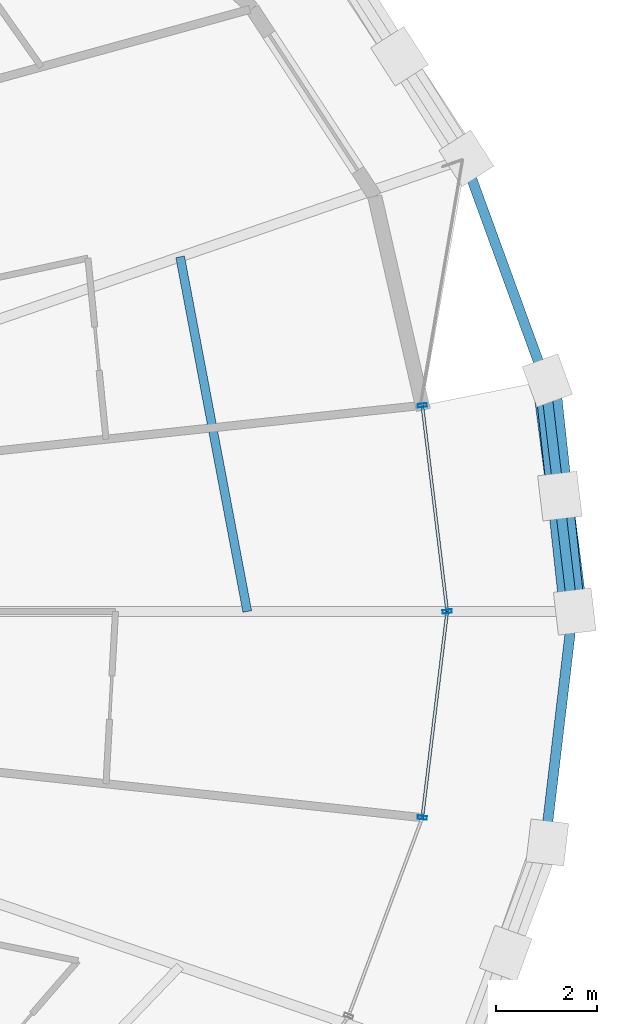
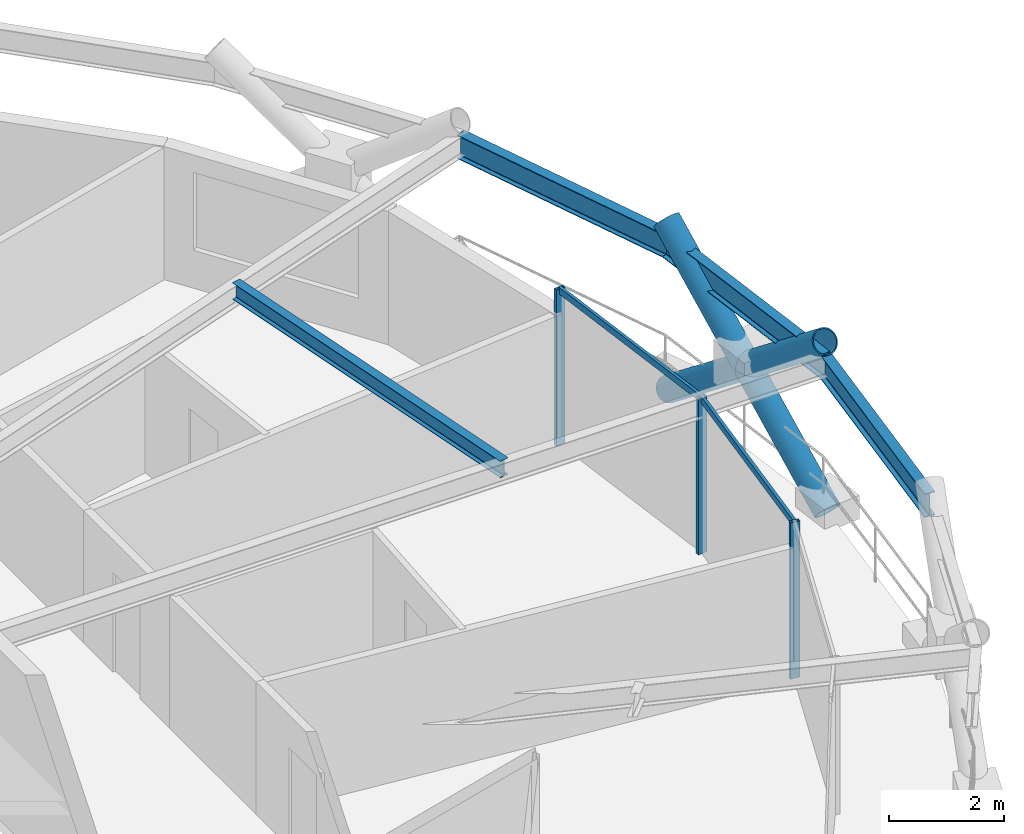
# One storey, part 11 of 19: 8 members, 4 beams, 1 element without a shape of its own.
"""IFC4 building model written with IfcOpenShell, lengths in metres."""

import ifcopenshell
import ifcopenshell.guid

model = None  # the IFC model being written
_history = None  # IfcOwnerHistory: only IFC2X3 demands one
_inside = {}  # id of a spatial element -> (the spatial element, [elements in it])
_under = {}  # id of a project, library or spatial element -> (it, [spatial elements below it])
_declared = {}  # id of a project -> (the project, [libraries it declares])
_typed = {}  # id of a type object -> (the type object, [elements of that type])
_made_of = {}  # id of a material, layer set ... -> (it, [elements and type objects made of it])


def new_model(schema):
    """Start an empty IFC model of exactly this schema.

    Asked for "IFC4X3", IfcOpenShell would pick the latest addendum, in which some entities
    have other attributes; the version numbers below select the first issue.
    IFC2X3 requires an IfcOwnerHistory on every rooted entity: one is made here for all.
    """
    global model, _history
    if schema == "IFC4X3":
        model = ifcopenshell.file(schema_version=(4, 3, 0, 0))
    else:
        model = ifcopenshell.file(schema=schema)
    _inside.clear()
    _under.clear()
    _declared.clear()
    _typed.clear()
    _made_of.clear()
    _history = None
    if model.schema == "IFC2X3":
        org = make("IfcOrganization", Name="unknown")
        user = make(
            "IfcPersonAndOrganization",
            ThePerson=make("IfcPerson", FamilyName="unknown"),
            TheOrganization=org,
        )
        app = make(
            "IfcApplication",
            ApplicationDeveloper=org,
            Version="unknown",
            ApplicationFullName="unknown",
            ApplicationIdentifier="unknown",
        )
        _history = make(
            "IfcOwnerHistory",
            OwningUser=user,
            OwningApplication=app,
            ChangeAction="ADDED",
            CreationDate=0,
        )
    return model


def make(cls, **values):
    """One entity of the class cls with the attributes given. An attribute that is None is left unset."""
    return model.create_entity(
        cls, **{name: value for name, value in values.items() if value is not None}
    )


def rooted(cls, **values):
    """An entity with a GlobalId (a new one), such as an element, a storey or a relation."""
    return make(cls, GlobalId=ifcopenshell.guid.new(), OwnerHistory=_history, **values)


def si_unit(unit_type, name, prefix=None):
    """IfcSIUnit, for example si_unit("LENGTHUNIT", "METRE", prefix="MILLI")."""
    return make("IfcSIUnit", UnitType=unit_type, Prefix=prefix, Name=name)


def assignment(units):
    """IfcUnitAssignment: the units of a project."""
    return None if units is None else make("IfcUnitAssignment", Units=units)


def point(xyz):
    """IfcCartesianPoint."""
    return None if xyz is None else make("IfcCartesianPoint", Coordinates=xyz)


def direction(xyz):
    """IfcDirection."""
    return None if xyz is None else make("IfcDirection", DirectionRatios=xyz)


def frame(location, z_axis=None, x_axis=None):
    """IfcAxis2Placement3D, a coordinate frame: its origin and axes. An axis left out is left unset."""
    return make(
        "IfcAxis2Placement3D",
        Location=point(location),
        Axis=direction(z_axis),
        RefDirection=direction(x_axis),
    )


def frame_2d(location, x_axis=None):
    """IfcAxis2Placement2D, a coordinate frame in the plane: its origin and x axis."""
    return make(
        "IfcAxis2Placement2D", Location=point(location), RefDirection=direction(x_axis)
    )


def origin():
    """The frame at (0, 0, 0) with its axes left unset."""
    return frame((0.0, 0.0, 0.0))


def origin_2d():
    """The frame at (0, 0) in the plane with its x axis left unset."""
    return frame_2d((0.0, 0.0))


def place(relative_to, where):
    """IfcLocalPlacement: puts the frame where relative to a parent placement (None: the world)."""
    return make(
        "IfcLocalPlacement", PlacementRelTo=relative_to, RelativePlacement=where
    )


def context(
    kind, dimensions, precision=None, world=None, true_north=None, identifier=None
):
    """IfcGeometricRepresentationContext, for example the 3D "Model" context."""
    return make(
        "IfcGeometricRepresentationContext",
        ContextIdentifier=identifier,
        ContextType=kind,
        CoordinateSpaceDimension=dimensions,
        Precision=precision,
        WorldCoordinateSystem=world,
        TrueNorth=true_north,
    )


def subcontext(parent, identifier, kind, view, scale=None):
    """IfcGeometricRepresentationSubContext, for example "Body" below "Model"."""
    return make(
        "IfcGeometricRepresentationSubContext",
        ContextIdentifier=identifier,
        ContextType=kind,
        ParentContext=parent,
        TargetScale=scale,
        TargetView=view,
    )


def project(units=None, contexts=None):
    """IfcProject with its units and contexts."""
    return rooted(
        "IfcProject",
        Name="project",
        RepresentationContexts=contexts,
        UnitsInContext=assignment(units),
    )


def spatial(cls, under=None, at=None, **own):
    """A site, building, storey or space (cls), placed at a placement, below another one or the project."""
    s = rooted(cls, ObjectPlacement=at, **own)
    if under is not None:
        _under.setdefault(under.id(), (under, []))[1].append(s)
    return s


def profile(cls, at=None, kind="AREA", **sizes):
    """A parametric profile (cls). Its sizes go by their IFC names, for example OverallWidth=200.0."""
    return make(cls, ProfileType=kind, Position=at, **sizes)


def hollow_rectangle(**sizes):
    """IfcRectangleHollowProfileDef."""
    return profile("IfcRectangleHollowProfileDef", **sizes)


def hollow_circle(**sizes):
    """IfcCircleHollowProfileDef."""
    return profile("IfcCircleHollowProfileDef", **sizes)


def i_section(**sizes):
    """IfcIShapeProfileDef."""
    return profile("IfcIShapeProfileDef", **sizes)


def extrude(swept, where, along, depth):
    """IfcExtrudedAreaSolid: the profile swept, set in the frame where, extruded along a direction by depth."""
    return make(
        "IfcExtrudedAreaSolid",
        SweptArea=swept,
        Position=where,
        ExtrudedDirection=direction(along),
        Depth=depth,
    )


def shape(context_of_items, identifier, shape_type, items):
    """IfcShapeRepresentation: the items that make up one representation, for example the "Body"."""
    return make(
        "IfcShapeRepresentation",
        ContextOfItems=context_of_items,
        RepresentationIdentifier=identifier,
        RepresentationType=shape_type,
        Items=items,
    )


def material(Name=None, Category=None):
    """IfcMaterial."""
    return make("IfcMaterial", Name=Name, Category=Category)


def layer(
    of_material, thickness, ventilated=None, Name=None, Category=None, Priority=None
):
    """IfcMaterialLayer: one layer of a wall or slab, of a material (None: an air gap)."""
    return make(
        "IfcMaterialLayer",
        Material=of_material,
        LayerThickness=thickness,
        IsVentilated=ventilated,
        Name=Name,
        Category=Category,
        Priority=Priority,
    )


def layer_set(layers, Name=None):
    """IfcMaterialLayerSet."""
    return make("IfcMaterialLayerSet", MaterialLayers=layers, LayerSetName=Name)


def material_profile(
    of_material, cross_section, Name=None, Category=None, Priority=None
):
    """IfcMaterialProfile: a cross section and its material."""
    return make(
        "IfcMaterialProfile",
        Name=Name,
        Material=of_material,
        Profile=cross_section,
        Priority=Priority,
        Category=Category,
    )


def profile_set(profiles, Name=None, composite=None):
    """IfcMaterialProfileSet."""
    return make(
        "IfcMaterialProfileSet",
        Name=Name,
        MaterialProfiles=profiles,
        CompositeProfile=composite,
    )


def made_of(thing, what):
    """Note that an element or type object is made of a material, layer set ...; save() writes the relation."""
    if what is not None:
        _made_of.setdefault(what.id(), (what, []))[1].append(thing)
    return thing


def type_object(cls, material=None, **own):
    """A type object (cls), such as IfcWallType, which elements share."""
    return made_of(rooted(cls, **own), material)


def element(
    cls,
    number,
    at=None,
    inside=None,
    cuts=None,
    type_object=None,
    material=None,
    context=None,
    identifier="Body",
    shape_type=None,
    held_by="IfcProductDefinitionShape",
    body=None,
    shapes=None,
    **own,
):
    """One element of the class cls, such as IfcWall. Its Tag is "e" and its number.

    at: its placement. inside: the storey or other place that contains it. cuts: it is an
    opening in that element (IfcRelVoidsElement). A single representation is given by context,
    identifier, shape_type and body (its items); several are given by shapes. held_by: the class
    of the entity that holds the representations. save() writes the other relations.
    """
    e = rooted(cls, Tag="e%d" % number, ObjectPlacement=at, **own)
    if body is not None:
        shapes = [shape(context, identifier, shape_type, body)]
    if shapes is not None:
        e.Representation = make(held_by, Representations=shapes)
    if inside is not None:
        _inside.setdefault(inside.id(), (inside, []))[1].append(e)
    if cuts is not None:
        rooted(
            "IfcRelVoidsElement", RelatingBuildingElement=cuts, RelatedOpeningElement=e
        )
    if type_object is not None:
        _typed.setdefault(type_object.id(), (type_object, []))[1].append(e)
    return made_of(e, material)


def aggregate(whole, parts):
    """IfcRelAggregates: a whole, such as a stair, and the parts it consists of."""
    return rooted("IfcRelAggregates", RelatingObject=whole, RelatedObjects=parts)


def save(model, path):
    """Write the relations noted so far, then the file.

    IfcRelAggregates (storeys below a building ...), IfcRelContainedInSpatialStructure (elements
    in a storey), IfcRelDefinesByType, IfcRelAssociatesMaterial and IfcRelDeclares: one each for
    every whole, place, type object, material and project.
    """
    for whole, parts in _under.values():
        aggregate(whole, parts)
    for where, things in _inside.values():
        rooted(
            "IfcRelContainedInSpatialStructure",
            RelatedElements=things,
            RelatingStructure=where,
        )
    for kind, things in _typed.values():
        rooted("IfcRelDefinesByType", RelatedObjects=things, RelatingType=kind)
    for what, things in _made_of.values():
        rooted("IfcRelAssociatesMaterial", RelatedObjects=things, RelatingMaterial=what)
    for by, libraries in _declared.values():
        rooted("IfcRelDeclares", RelatingContext=by, RelatedDefinitions=libraries)
    model.write(path)


model = new_model("IFC4")

# Units and contexts
model_context = context("Model", 3, precision=1e-05, world=origin(), true_north=direction((0.0, 1.0)))
body_context = subcontext(model_context, "Body", "Model", "MODEL_VIEW")
ifc_project = project(units=[si_unit("LENGTHUNIT", "METRE"), si_unit("AREAUNIT", "SQUARE_METRE"), si_unit("VOLUMEUNIT", "CUBIC_METRE"), si_unit("PLANEANGLEUNIT", "RADIAN"), si_unit("MASSUNIT", "GRAM", prefix="KILO")], contexts=[model_context])

# Site, building, storey
site_placement = place(None, origin())
site = spatial("IfcSite", under=ifc_project, at=site_placement, CompositionType="ELEMENT")
building_placement = place(site_placement, origin())
building = spatial("IfcBuilding", under=site, at=building_placement, Name="Veldorina Hangang Commons", CompositionType="ELEMENT")
storey_placement = place(building_placement, frame((0.0, 0.0, 164.0)))
storey = spatial("IfcBuildingStorey", under=building, at=storey_placement, Name="L42", CompositionType="ELEMENT", Elevation=164.0)

# Beams
ifc_material_1 = material(Name="Steel SM355-TMC", Category="steel")
ifc_material_profile_1 = material_profile(ifc_material_1, i_section(OverallWidth=0.175048828125, OverallDepth=0.35009765625, WebThickness=0.007080078125, FlangeThickness=0.010986328125, FilletRadius=0.012939453125, at=origin_2d()), Name="H-350x175x7x11")
ifc_profile_set_1 = profile_set([ifc_material_profile_1], Name="Steel SM355-TMC")
beam_type_1 = type_object("IfcBeamType", Name="BM-JST350", PredefinedType="JOIST", material=ifc_profile_set_1)
beam_1_placement = place(storey_placement, frame((53.67138671875, 24.0, 3.175048828125), z_axis=(-0.185916673922, 0.982565514537, 0.0), x_axis=(-0.982565514537, -0.185916673922, 0.0)))
element("IfcBeam", 1, at=beam_1_placement, inside=storey, type_object=beam_type_1, Name="L42 secondary floor joist 01", PredefinedType="JOIST", context=body_context, shape_type="SweptSolid", body=[
    extrude(i_section(OverallWidth=0.175048828125, OverallDepth=0.35009765625, WebThickness=0.007080078125, FlangeThickness=0.010986328125, FilletRadius=0.012939453125, at=origin_2d()), origin(), (0.0, 0.0, 1.0), 7.133056640625),
])
ifc_material_2 = material(Name="Steel SM420-TMC", Category="steel")
ifc_material_profile_2 = material_profile(ifc_material_2, i_section(OverallWidth=0.199951171875, OverallDepth=0.5, WebThickness=0.010009765625, FlangeThickness=0.01611328125, FilletRadius=0.01611328125, at=origin_2d()), Name="H-500x200x10x16")
ifc_profile_set_2 = profile_set([ifc_material_profile_2], Name="Steel SM420-TMC")
beam_type_2 = type_object("IfcBeamType", Name="BM-RB500", PredefinedType="BEAM", material=ifc_profile_set_2)
beam_2_placement = place(storey_placement, frame((60.101806640625, 24.0, 3.10009765625), z_axis=(-0.117618662642, 0.993058835215, 0.0), x_axis=(-0.993058835215, -0.117618662642, 0.0)))
element("IfcBeam", 2, at=beam_2_placement, inside=storey, type_object=beam_type_2, Name="L42 perimeter hoop ring beam 00", PredefinedType="BEAM", context=body_context, shape_type="SweptSolid", body=[
    extrude(i_section(OverallWidth=0.199951171875, OverallDepth=0.5, WebThickness=0.010009765625, FlangeThickness=0.01611328125, FilletRadius=0.01611328125, at=origin_2d()), origin(), (0.0, 0.0, 1.0), 4.591552734375),
])
beam_3_placement = place(storey_placement, frame((59.561767578125, 28.5595703125, 3.10009765625), z_axis=(-0.34265859185, 0.939459998846, 0.0), x_axis=(-0.939459998846, -0.34265859185, 0.0)))
element("IfcBeam", 3, at=beam_3_placement, inside=storey, type_object=beam_type_2, Name="L42 perimeter hoop ring beam 01", PredefinedType="BEAM", context=body_context, shape_type="SweptSolid", body=[
    extrude(i_section(OverallWidth=0.199951171875, OverallDepth=0.5, WebThickness=0.010009765625, FlangeThickness=0.01611328125, FilletRadius=0.01611328125, at=origin_2d()), origin(), (0.0, 0.0, 1.0), 4.666748046875),
])
beam_4_placement = place(storey_placement, frame((59.561767578125, 19.4404296875, 3.10009765625), z_axis=(0.117618662642, 0.993058835215, 0.0), x_axis=(-0.993058835215, 0.117618662642, 0.0)))
element("IfcBeam", 4, at=beam_4_placement, inside=storey, type_object=beam_type_2, Name="L42 perimeter hoop ring beam 31", PredefinedType="BEAM", context=body_context, shape_type="SweptSolid", body=[
    extrude(i_section(OverallWidth=0.199951171875, OverallDepth=0.5, WebThickness=0.010009765625, FlangeThickness=0.01611328125, FilletRadius=0.01611328125, at=origin_2d()), origin(), (0.0, 0.0, 1.0), 4.591552734375),
])

# Curtain wall, members
ifc_material_3 = material(Name="Glass Low-E Triple IGU", Category="glass")
ifc_layer = layer(ifc_material_3, 0.179931640625)
ifc_layer_set = layer_set([ifc_layer], Name="Glass Low-E Triple IGU")
curtain_wall_type = type_object("IfcCurtainWallType", Name="CW-SYS-Z2", PredefinedType="NOTDEFINED", material=ifc_layer_set)
curtain_wall_placement = place(storey_placement, origin())
curtain_wall = element("IfcCurtainWall", 5, at=curtain_wall_placement, inside=storey, type_object=curtain_wall_type, Name="L42 unitised curtain wall CW-L42-R2", PredefinedType="NOTDEFINED")
ifc_material_4 = material(Name="Aluminium Anodized AA6063-T6", Category="aluminium")
ifc_material_profile_3 = material_profile(ifc_material_4, hollow_rectangle(XDim=0.070068359375, YDim=0.179931640625, WallThickness=0.00390625, at=origin_2d()), Name="ALU-RHS-180x70x4")
ifc_profile_set_3 = profile_set([ifc_material_profile_3], Name="Aluminium Anodized AA6063-T6")
member_type_1 = type_object("IfcMemberType", Name="CW-MUL-180", PredefinedType="MULLION", material=ifc_profile_set_3)
member_1_placement = place(storey_placement, frame((57.1298828125, 19.926513671875, 0.0), z_axis=(0.0, 0.0, 1.0), x_axis=(0.119980895395, 0.992776200732, 0.0)))
member_1 = element("IfcMember", 6, at=member_1_placement, type_object=member_type_1, Name="CW-L42-R2 vertical mullion 4", PredefinedType="MULLION", context=body_context, shape_type="SweptSolid", body=[
    extrude(hollow_rectangle(XDim=0.070068359375, YDim=0.179931640625, WallThickness=0.00390625, at=origin_2d()), origin(), (0.0, 0.0, 1.0), 3.31005859375),
])
member_2_placement = place(storey_placement, frame((57.622314453125, 24.0, 0.0), z_axis=(0.0, 0.0, 1.0), x_axis=(-0.119980895395, 0.992776200732, 0.0)))
member_2 = element("IfcMember", 7, at=member_2_placement, type_object=member_type_1, Name="CW-L42-R2 vertical mullion 5", PredefinedType="MULLION", context=body_context, shape_type="SweptSolid", body=[
    extrude(hollow_rectangle(XDim=0.070068359375, YDim=0.179931640625, WallThickness=0.00390625, at=origin_2d()), origin(), (0.0, 0.0, 1.0), 3.31005859375),
])
member_3_placement = place(storey_placement, frame((57.1298828125, 28.073486328125, 0.0), z_axis=(0.0, 0.0, 1.0), x_axis=(0.119980895395, -0.992776200732, 0.0)))
member_3 = element("IfcMember", 8, at=member_3_placement, type_object=member_type_1, Name="CW-L42-R2 vertical mullion 6", PredefinedType="MULLION", context=body_context, shape_type="SweptSolid", body=[
    extrude(hollow_rectangle(XDim=0.070068359375, YDim=0.179931640625, WallThickness=0.00390625, at=origin_2d()), origin(), (0.0, 0.0, 1.0), 3.31005859375),
])
ifc_material_profile_4 = material_profile(ifc_material_4, hollow_rectangle(XDim=0.06005859375, YDim=0.139892578125, WallThickness=0.00341796875, at=origin_2d()), Name="ALU-RHS-140x60x3.5")
ifc_profile_set_4 = profile_set([ifc_material_profile_4], Name="Aluminium Anodized AA6063-T6")
member_type_2 = type_object("IfcMemberType", Name="CW-TRN-140", PredefinedType="USERDEFINED", material=ifc_profile_set_4)
member_4_placement = place(storey_placement, frame((57.1298828125, 19.926513671875, 3.27001953125), z_axis=(0.120013287375, 0.992772285498, 0.0), x_axis=(-0.992772285498, 0.120013287375, 0.0)))
member_4 = element("IfcMember", 9, at=member_4_placement, type_object=member_type_2, Name="CW-L42-R2 facet 4 transom 1", ObjectType="TRANSOM", PredefinedType="USERDEFINED", context=body_context, shape_type="SweptSolid", body=[
    extrude(hollow_rectangle(XDim=0.06005859375, YDim=0.139892578125, WallThickness=0.00341796875, at=origin_2d()), origin(), (0.0, 0.0, 1.0), 4.10302734375),
])
member_5_placement = place(storey_placement, frame((57.622314453125, 24.0, 3.27001953125), z_axis=(-0.120013287375, 0.992772285498, 0.0), x_axis=(-0.992772285498, -0.120013287375, 0.0)))
member_5 = element("IfcMember", 10, at=member_5_placement, type_object=member_type_2, Name="CW-L42-R2 facet 5 transom 1", ObjectType="TRANSOM", PredefinedType="USERDEFINED", context=body_context, shape_type="SweptSolid", body=[
    extrude(hollow_rectangle(XDim=0.06005859375, YDim=0.139892578125, WallThickness=0.00341796875, at=origin_2d()), origin(), (0.0, 0.0, 1.0), 4.10302734375),
])
aggregate(curtain_wall, [member_1, member_2, member_3, member_4, member_5])

# Members
ifc_material_profile_5 = material_profile(ifc_material_2, hollow_circle(Radius=0.25, WallThickness=0.02490234375, at=origin_2d()), Name="CHS-500x25")
ifc_profile_set_5 = profile_set([ifc_material_profile_5], Name="Steel SM420-TMC")
member_type_3 = type_object("IfcMemberType", Name="DG-CHS500", PredefinedType="BRACE", material=ifc_profile_set_5)
member_6_placement = place(storey_placement, frame((60.14208984375, 24.0, 0.0), z_axis=(-0.100486555149, 0.780809387322, 0.616635348407), x_axis=(-0.991820219628, -0.127642672867, 0.0)))
element("IfcMember", 11, at=member_6_placement, inside=storey, type_object=member_type_3, Name="L42 continuous perimeter diagrid brace 00", PredefinedType="BRACE", context=body_context, shape_type="SweptSolid", body=[
    extrude(hollow_circle(Radius=0.25, WallThickness=0.02490234375, at=origin_2d()), origin(), (0.0, 0.0, 1.0), 5.83837890625),
])
member_7_placement = place(storey_placement, frame((59.6015625, 28.56494140625, 0.0), z_axis=(0.084635074221, -0.782372647571, 0.617033179452), x_axis=(0.994199678899, 0.107549981298, 0.0)))
element("IfcMember", 12, at=member_7_placement, inside=storey, type_object=member_type_3, Name="L42 split perimeter diagrid lower brace 01", PredefinedType="BRACE", context=body_context, shape_type="SweptSolid", body=[
    extrude(hollow_circle(Radius=0.25, WallThickness=0.02490234375, at=origin_2d()), origin(), (0.0, 0.0, 1.0), 2.919189453125),
])
member_8_placement = place(storey_placement, frame((59.8486328125, 26.281005859375, 1.80126953125), z_axis=(0.084579063157, -0.782398205028, 0.617008452814), x_axis=(0.994207662204, 0.107476157425, 0.0)))
element("IfcMember", 13, at=member_8_placement, inside=storey, type_object=member_type_3, Name="L42 split perimeter diagrid upper brace 01", PredefinedType="BRACE", context=body_context, shape_type="SweptSolid", body=[
    extrude(hollow_circle(Radius=0.25, WallThickness=0.02490234375, at=origin_2d()), origin(), (0.0, 0.0, 1.0), 2.915283203125),
])

save(model, "model.ifc")
